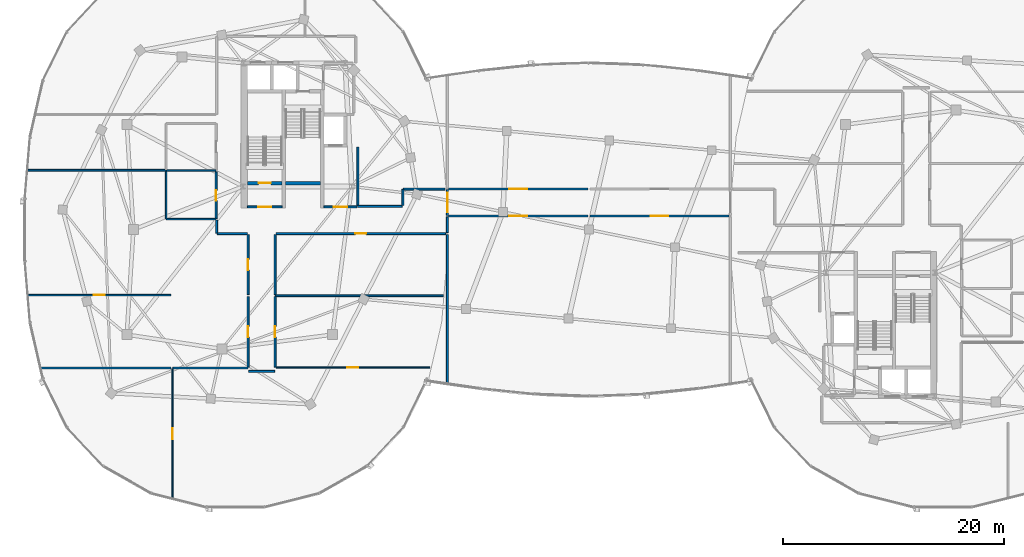
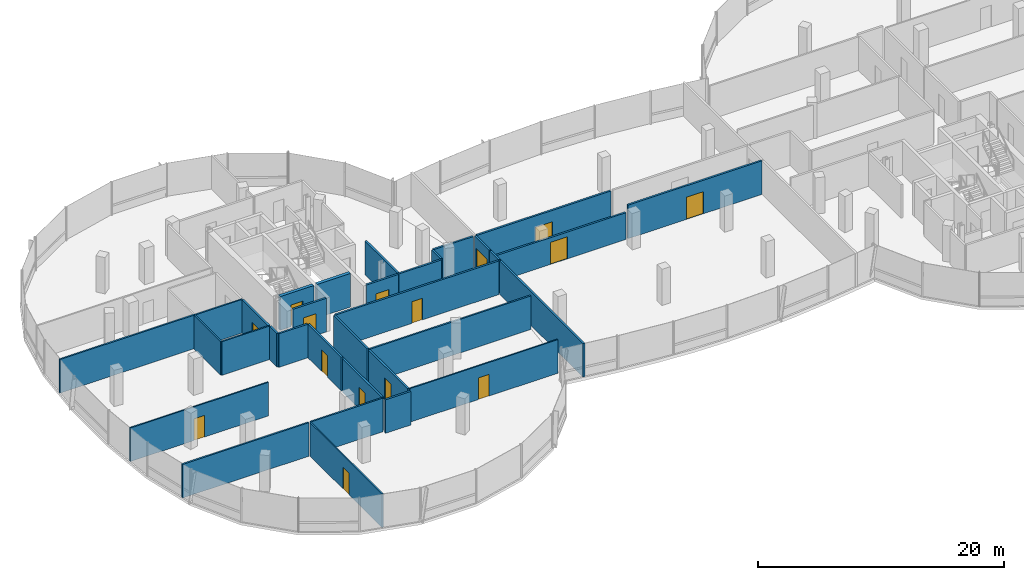
# One storey, part 14 of 25: 33 walls, 15 doors, 15 openings.
"""IFC4 building model written with IfcOpenShell, lengths in metres."""

from ifc_helpers import new_model, si_unit, direction, frame, frame_2d, origin, place, context, subcontext, project, spatial, rectangle, extrude, material, layer, layer_set, type_object, element, fill, save


model = new_model("IFC4")

# Units and contexts
model_context = context("Model", 3, precision=1e-05, world=origin(), true_north=direction((0.0, 1.0)))
body_context = subcontext(model_context, "Body", "Model", "MODEL_VIEW")
ifc_project = project(units=[si_unit("LENGTHUNIT", "METRE"), si_unit("AREAUNIT", "SQUARE_METRE"), si_unit("VOLUMEUNIT", "CUBIC_METRE"), si_unit("PLANEANGLEUNIT", "RADIAN"), si_unit("MASSUNIT", "GRAM", prefix="KILO"), si_unit("THERMODYNAMICTEMPERATUREUNIT", "KELVIN"), si_unit("POWERUNIT", "WATT")], contexts=[model_context])

# Site, building, storey
site_placement = place(None, origin())
site = spatial("IfcSite", under=ifc_project, at=site_placement, CompositionType="ELEMENT")
building_placement = place(site_placement, origin())
building = spatial("IfcBuilding", under=site, at=building_placement, Name="Cundina Bronze Exchange", CompositionType="ELEMENT")
storey_placement = place(building_placement, frame((0.0, 0.0, 246.800048828125)))
storey = spatial("IfcBuildingStorey", under=building, at=storey_placement, Name="L65", CompositionType="ELEMENT", Elevation=246.800048828125)

# Wall
ifc_material_1 = material(Name="Gypsum Fireboard Partition EI120")
ifc_layer_1 = layer(ifc_material_1, 0.179931640625, Name="Gypsum Fireboard Partition EI120")
ifc_layer_set_1 = layer_set([ifc_layer_1], Name="Gypsum Fireboard Partition EI120")
wall_type_1 = type_object("IfcWallType", Name="WL-COR-180", PredefinedType="PARTITIONING", material=ifc_layer_set_1)
wall_1_placement = place(storey_placement, frame((-20.889892578125, 2.14990234375, 0.0), z_axis=(0.0, 0.0, 1.0), x_axis=(0.0, 1.0, 0.0)))
element("IfcWall", 1, at=wall_1_placement, inside=storey, type_object=wall_type_1, Name="L65 W Firefighting Lobby Side Wall", PredefinedType="PARTITIONING", context=body_context, shape_type="SweptSolid", body=[
    extrude(rectangle(XDim=5.300048828125, YDim=0.179931640625, at=frame_2d((2.64990234375, 0.0))), origin(), (0.0, 0.0, 1.0), 3.33984375),
])

# Wall, opening, door
wall_2_placement = place(storey_placement, frame((-23.97998046875, 2.06005859375, 0.0), z_axis=(0.0, 0.0, 1.0), x_axis=(1.0, 0.0, 0.0)))
wall_2 = element("IfcWall", 2, at=wall_2_placement, inside=storey, type_object=wall_type_1, Name="L65 W Firefighting Lobby Exit Wall", PredefinedType="PARTITIONING", context=body_context, shape_type="SweptSolid", body=[
    extrude(rectangle(XDim=3.0, YDim=0.179931640625, at=frame_2d((1.5, 0.0))), origin(), (0.0, 0.0, 1.0), 3.33984375),
])
opening_1_placement = place(wall_2_placement, frame((0.89990234375, 0.0, 0.0)))
opening_1 = element("IfcOpeningElement", 3, at=opening_1_placement, cuts=wall_2, Name="Opening DF-01", PredefinedType="OPENING", context=body_context, shape_type="SweptSolid", body=[
    extrude(rectangle(XDim=1.199951171875, YDim=2.14990234375, at=frame_2d((0.60009765625, 1.074951171875))), frame((0.0, 0.099853515625, 0.0), z_axis=(0.0, -1.0, 0.0), x_axis=(1.0, 0.0, 0.0)), (0.0, 0.0, 1.0), 0.199951171875),
])
ifc_material_2 = material(Name="Steel ASTM A36 Painted", Category="steel")
door_type_1 = type_object("IfcDoorType", Name="DR-FFL-1200", OperationType="NOTDEFINED", PredefinedType="DOOR", material=ifc_material_2)
door_1_placement = place(opening_1_placement, origin())
door_1 = element("IfcDoor", 4, at=door_1_placement, inside=storey, type_object=door_type_1, Name="L65 W Firefighting Lobby Door", OperationType="SINGLE_SWING_RIGHT", OverallHeight=2.14990234375, OverallWidth=1.199951171875, PredefinedType="DOOR", context=body_context, shape_type="SweptSolid", body=[
    extrude(rectangle(XDim=1.199951171875, YDim=2.14990234375, at=frame_2d((0.60009765625, 1.074951171875))), frame((0.0, 0.02490234375, 0.0), z_axis=(0.0, -1.0, 0.0), x_axis=(1.0, 0.0, 0.0)), (0.0, 0.0, 1.0), 0.050048828125),
])
fill(opening_1, door_1)

wall_3_placement = place(storey_placement, frame((-30.89990234375, 2.06005859375, 0.0), z_axis=(0.0, 0.0, 1.0), x_axis=(1.0, 0.0, 0.0)))
wall_3 = element("IfcWall", 5, at=wall_3_placement, inside=storey, type_object=wall_type_1, Name="L65 W Stair Vestibule Exit Wall", PredefinedType="PARTITIONING", context=body_context, shape_type="SweptSolid", body=[
    extrude(rectangle(XDim=3.159912109375, YDim=0.179931640625, at=frame_2d((1.580078125, 0.0))), origin(), (0.0, 0.0, 1.0), 3.33984375),
])
opening_2_placement = place(wall_3_placement, frame((0.97998046875, 0.0, 0.0)))
opening_2 = element("IfcOpeningElement", 6, at=opening_2_placement, cuts=wall_3, Name="Opening DF-01", PredefinedType="OPENING", context=body_context, shape_type="SweptSolid", body=[
    extrude(rectangle(XDim=1.199951171875, YDim=2.14990234375, at=frame_2d((0.60009765625, 1.074951171875))), frame((0.0, 0.099853515625, 0.0), z_axis=(0.0, -1.0, 0.0), x_axis=(1.0, 0.0, 0.0)), (0.0, 0.0, 1.0), 0.199951171875),
])
door_2_placement = place(opening_2_placement, origin())
door_2 = element("IfcDoor", 7, at=door_2_placement, inside=storey, type_object=door_type_1, Name="L65 W Stair Vestibule Door", OperationType="SINGLE_SWING_LEFT", OverallHeight=2.14990234375, OverallWidth=1.199951171875, PredefinedType="DOOR", context=body_context, shape_type="SweptSolid", body=[
    extrude(rectangle(XDim=1.199951171875, YDim=2.14990234375, at=frame_2d((0.60009765625, 1.074951171875))), frame((0.0, 0.02490234375, 0.0), z_axis=(0.0, -1.0, 0.0), x_axis=(1.0, 0.0, 0.0)), (0.0, 0.0, 1.0), 0.050048828125),
])
fill(opening_2, door_2)

wall_4_placement = place(storey_placement, frame((-33.719970703125, 0.969970703125, 0.0), z_axis=(0.0, 0.0, 1.0), x_axis=(0.0, 1.0, 0.0)))
wall_4 = element("IfcWall", 8, at=wall_4_placement, inside=storey, type_object=wall_type_1, Name="L65 Interior Partition 010", PredefinedType="PARTITIONING", context=body_context, shape_type="SweptSolid", body=[
    extrude(rectangle(XDim=4.260009765625, YDim=0.179931640625, at=frame_2d((2.1298828125, 0.0))), origin(), (0.0, 0.0, 1.0), 3.33984375),
])
opening_3_placement = place(wall_4_placement, frame((1.655029296875, 0.0, 0.0)))
opening_3 = element("IfcOpeningElement", 9, at=opening_3_placement, cuts=wall_4, Name="Opening DW-01", PredefinedType="OPENING", context=body_context, shape_type="SweptSolid", body=[
    extrude(rectangle(XDim=0.949951171875, YDim=2.10009765625, at=frame_2d((0.47509765625, 1.050048828125))), frame((0.0, 0.099853515625, 0.0), z_axis=(0.0, -1.0, 0.0), x_axis=(1.0, 0.0, 0.0)), (0.0, 0.0, 1.0), 0.199951171875),
])
ifc_material_3 = material(Name="Solid Andean Oak Timber Grade A", Category="wood")
door_type_2 = type_object("IfcDoorType", Name="DR-WC-950", OperationType="NOTDEFINED", PredefinedType="DOOR", material=ifc_material_3)
door_3_placement = place(opening_3_placement, origin())
door_3 = element("IfcDoor", 10, at=door_3_placement, inside=storey, type_object=door_type_2, Name="L65 Interior Door 010", OperationType="SINGLE_SWING_RIGHT", OverallHeight=2.10009765625, OverallWidth=0.949951171875, PredefinedType="DOOR", context=body_context, shape_type="SweptSolid", body=[
    extrude(rectangle(XDim=0.949951171875, YDim=2.10009765625, at=frame_2d((0.47509765625, 1.050048828125))), frame((0.0, 0.02490234375, 0.0), z_axis=(0.0, -1.0, 0.0), x_axis=(1.0, 0.0, 0.0)), (0.0, 0.0, 1.0), 0.050048828125),
])
fill(opening_3, door_3)

# Wall
wall_5_placement = place(storey_placement, frame((-30.778564453125, -12.820068359375, 0.0), z_axis=(0.0, 0.0, 1.0), x_axis=(1.0, 0.0, 0.0)))
element("IfcWall", 11, at=wall_5_placement, inside=storey, type_object=wall_type_1, Name="L65 Interior Partition 017", PredefinedType="PARTITIONING", context=body_context, shape_type="SweptSolid", body=[
    extrude(rectangle(XDim=2.357177734375, YDim=0.179931640625, at=frame_2d((1.1787109375, 0.0))), origin(), (0.0, 0.0, 1.0), 3.33984375),
])

# Wall, opening, door
wall_6_placement = place(storey_placement, frame((-30.820068359375, -6.070068359375, 0.0), z_axis=(0.0, 0.0, 1.0), x_axis=(0.0, -1.0, 0.0)))
wall_6 = element("IfcWall", 12, at=wall_6_placement, inside=storey, type_object=wall_type_1, Name="L65 Interior Partition 018", PredefinedType="PARTITIONING", context=body_context, shape_type="SweptSolid", body=[
    extrude(rectangle(XDim=6.35986328125, YDim=0.179931640625, at=frame_2d((3.179931640625, 0.0))), origin(), (0.0, 0.0, 1.0), 3.33984375),
])
opening_4_placement = place(wall_6_placement, frame((2.679931640625, 0.0, 0.0)))
opening_4 = element("IfcOpeningElement", 13, at=opening_4_placement, cuts=wall_6, Name="Opening DO-01", PredefinedType="OPENING", context=body_context, shape_type="SweptSolid", body=[
    extrude(rectangle(XDim=1.0, YDim=2.14990234375, at=frame_2d((0.5, 1.074951171875))), frame((0.0, 0.099853515625, 0.0), z_axis=(0.0, -1.0, 0.0), x_axis=(1.0, 0.0, 0.0)), (0.0, 0.0, 1.0), 0.199951171875),
])
door_type_3 = type_object("IfcDoorType", Name="DR-OFF-1000", OperationType="NOTDEFINED", PredefinedType="DOOR", material=ifc_material_3)
door_4_placement = place(opening_4_placement, origin())
door_4 = element("IfcDoor", 14, at=door_4_placement, inside=storey, type_object=door_type_3, Name="L65 Interior Door 018", OperationType="SINGLE_SWING_LEFT", OverallHeight=2.14990234375, OverallWidth=1.0, PredefinedType="DOOR", context=body_context, shape_type="SweptSolid", body=[
    extrude(rectangle(XDim=1.0, YDim=2.14990234375, at=frame_2d((0.5, 1.074951171875))), frame((0.0, 0.02490234375, 0.0), z_axis=(0.0, -1.0, 0.0), x_axis=(1.0, 0.0, 0.0)), (0.0, 0.0, 1.0), 0.050048828125),
])
fill(opening_4, door_4)

wall_7_placement = place(storey_placement, frame((-28.3798828125, -12.429931640625, 0.0), z_axis=(0.0, 0.0, 1.0), x_axis=(0.0, 1.0, 0.0)))
wall_7 = element("IfcWall", 15, at=wall_7_placement, inside=storey, type_object=wall_type_1, Name="L65 Interior Partition 019", PredefinedType="PARTITIONING", context=body_context, shape_type="SweptSolid", body=[
    extrude(rectangle(XDim=6.35986328125, YDim=0.179931640625, at=frame_2d((3.179931640625, 0.0))), origin(), (0.0, 0.0, 1.0), 3.33984375),
])
opening_5_placement = place(wall_7_placement, frame((2.679931640625, 0.0, 0.0)))
opening_5 = element("IfcOpeningElement", 16, at=opening_5_placement, cuts=wall_7, Name="Opening DO-01", PredefinedType="OPENING", context=body_context, shape_type="SweptSolid", body=[
    extrude(rectangle(XDim=1.0, YDim=2.14990234375, at=frame_2d((0.5, 1.074951171875))), frame((0.0, 0.099853515625, 0.0), z_axis=(0.0, -1.0, 0.0), x_axis=(1.0, 0.0, 0.0)), (0.0, 0.0, 1.0), 0.199951171875),
])
door_5_placement = place(opening_5_placement, origin())
door_5 = element("IfcDoor", 17, at=door_5_placement, inside=storey, type_object=door_type_3, Name="L65 Interior Door 019", OperationType="SINGLE_SWING_RIGHT", OverallHeight=2.14990234375, OverallWidth=1.0, PredefinedType="DOOR", context=body_context, shape_type="SweptSolid", body=[
    extrude(rectangle(XDim=1.0, YDim=2.14990234375, at=frame_2d((0.5, 1.074951171875))), frame((0.0, 0.02490234375, 0.0), z_axis=(0.0, -1.0, 0.0), x_axis=(1.0, 0.0, 0.0)), (0.0, 0.0, 1.0), 0.050048828125),
])
fill(opening_5, door_5)

wall_8_placement = place(storey_placement, frame((-28.300048828125, -0.3701171875, 0.0), z_axis=(0.0, 0.0, 1.0), x_axis=(1.0, 0.0, 0.0)))
wall_8 = element("IfcWall", 18, at=wall_8_placement, inside=storey, type_object=wall_type_1, Name="L65 Interior Partition 020", PredefinedType="PARTITIONING", context=body_context, shape_type="SweptSolid", body=[
    extrude(rectangle(XDim=15.34912109375, YDim=0.179931640625, at=frame_2d((7.674560546875, 0.0))), origin(), (0.0, 0.0, 1.0), 3.33984375),
])
opening_6_placement = place(wall_8_placement, frame((7.174560546875, 0.0, 0.0)))
opening_6 = element("IfcOpeningElement", 19, at=opening_6_placement, cuts=wall_8, Name="Opening DO-01", PredefinedType="OPENING", context=body_context, shape_type="SweptSolid", body=[
    extrude(rectangle(XDim=1.0, YDim=2.14990234375, at=frame_2d((0.5, 1.074951171875))), frame((0.0, 0.099853515625, 0.0), z_axis=(0.0, -1.0, 0.0), x_axis=(1.0, 0.0, 0.0)), (0.0, 0.0, 1.0), 0.199951171875),
])
door_6_placement = place(opening_6_placement, origin())
door_6 = element("IfcDoor", 20, at=door_6_placement, inside=storey, type_object=door_type_3, Name="L65 Interior Door 020", OperationType="SINGLE_SWING_RIGHT", OverallHeight=2.14990234375, OverallWidth=1.0, PredefinedType="DOOR", context=body_context, shape_type="SweptSolid", body=[
    extrude(rectangle(XDim=1.0, YDim=2.14990234375, at=frame_2d((0.5, 1.074951171875))), frame((0.0, 0.02490234375, 0.0), z_axis=(0.0, -1.0, 0.0), x_axis=(1.0, 0.0, 0.0)), (0.0, 0.0, 1.0), 0.050048828125),
])
fill(opening_6, door_6)

# Wall
wall_9_placement = place(storey_placement, frame((-28.3798828125, -5.889892578125, 0.0), z_axis=(0.0, 0.0, 1.0), x_axis=(0.0, 1.0, 0.0)))
element("IfcWall", 21, at=wall_9_placement, inside=storey, type_object=wall_type_1, Name="L65 Interior Partition 021", PredefinedType="PARTITIONING", context=body_context, shape_type="SweptSolid", body=[
    extrude(rectangle(XDim=5.43994140625, YDim=0.179931640625, at=frame_2d((2.719970703125, 0.0))), origin(), (0.0, 0.0, 1.0), 3.33984375),
])

# Wall, opening, door
wall_10_placement = place(storey_placement, frame((-30.820068359375, -0.449951171875, 0.0), z_axis=(0.0, 0.0, 1.0), x_axis=(0.0, -1.0, 0.0)))
wall_10 = element("IfcWall", 22, at=wall_10_placement, inside=storey, type_object=wall_type_1, Name="L65 Interior Partition 022", PredefinedType="PARTITIONING", context=body_context, shape_type="SweptSolid", body=[
    extrude(rectangle(XDim=5.43994140625, YDim=0.179931640625, at=frame_2d((2.719970703125, 0.0))), origin(), (0.0, 0.0, 1.0), 3.33984375),
])
opening_7_placement = place(wall_10_placement, frame((2.219970703125, 0.0, 0.0)))
opening_7 = element("IfcOpeningElement", 23, at=opening_7_placement, cuts=wall_10, Name="Opening DO-01", PredefinedType="OPENING", context=body_context, shape_type="SweptSolid", body=[
    extrude(rectangle(XDim=1.0, YDim=2.14990234375, at=frame_2d((0.5, 1.074951171875))), frame((0.0, 0.099853515625, 0.0), z_axis=(0.0, -1.0, 0.0), x_axis=(1.0, 0.0, 0.0)), (0.0, 0.0, 1.0), 0.199951171875),
])
door_7_placement = place(opening_7_placement, origin())
door_7 = element("IfcDoor", 24, at=door_7_placement, inside=storey, type_object=door_type_3, Name="L65 Interior Door 022", OperationType="SINGLE_SWING_LEFT", OverallHeight=2.14990234375, OverallWidth=1.0, PredefinedType="DOOR", context=body_context, shape_type="SweptSolid", body=[
    extrude(rectangle(XDim=1.0, YDim=2.14990234375, at=frame_2d((0.5, 1.074951171875))), frame((0.0, 0.02490234375, 0.0), z_axis=(0.0, -1.0, 0.0), x_axis=(1.0, 0.0, 0.0)), (0.0, 0.0, 1.0), 0.050048828125),
])
fill(opening_7, door_7)

# Walls
wall_11_placement = place(storey_placement, frame((-33.62841796875, -0.3701171875, 0.0), z_axis=(0.0, 0.0, 1.0), x_axis=(1.0, 0.0, 0.0)))
element("IfcWall", 25, at=wall_11_placement, inside=storey, type_object=wall_type_1, Name="L65 Interior Partition 023", PredefinedType="PARTITIONING", context=body_context, shape_type="SweptSolid", body=[
    extrude(rectangle(XDim=2.728515625, YDim=0.179931640625, at=frame_2d((1.3642578125, 0.0))), origin(), (0.0, 0.0, 1.0), 3.33984375),
])
wall_12_placement = place(storey_placement, frame((-33.669921875, 0.858642578125, 0.0), z_axis=(0.0, 0.0, 1.0), x_axis=(0.0, -1.0, 0.0)))
element("IfcWall", 26, at=wall_12_placement, inside=storey, type_object=wall_type_1, Name="L65 Interior Partition 024", PredefinedType="PARTITIONING", context=body_context, shape_type="SweptSolid", body=[
    extrude(rectangle(XDim=1.187255859375, YDim=0.179931640625, at=frame_2d((0.59375, 0.0))), origin(), (0.0, 0.0, 1.0), 3.33984375),
])
wall_13_placement = place(storey_placement, frame((-16.89990234375, 2.10009765625, 0.0), z_axis=(0.0, 0.0, 1.0), x_axis=(-1.0, 0.0, 0.0)))
element("IfcWall", 27, at=wall_13_placement, inside=storey, type_object=wall_type_1, Name="L65 Interior Partition 026", PredefinedType="PARTITIONING", context=body_context, shape_type="SweptSolid", body=[
    extrude(rectangle(XDim=4.02001953125, YDim=0.179931640625, at=frame_2d((2.010009765625, 0.0))), origin(), (0.0, 0.0, 1.0), 3.33984375),
])
wall_14_placement = place(storey_placement, frame((-13.025634765625, 3.669921875, 0.0), z_axis=(0.0, 0.0, 1.0), x_axis=(-1.0, 0.0, 0.0)))
element("IfcWall", 28, at=wall_14_placement, inside=storey, type_object=wall_type_1, Name="L65 Interior Partition 027", PredefinedType="PARTITIONING", context=body_context, shape_type="SweptSolid", body=[
    extrude(rectangle(XDim=3.7529296875, YDim=0.179931640625, at=frame_2d((1.87646484375, 0.0))), origin(), (0.0, 0.0, 1.0), 3.33984375),
])
wall_15_placement = place(storey_placement, frame((-16.820068359375, 3.62841796875, 0.0), z_axis=(0.0, 0.0, 1.0), x_axis=(0.0, -1.0, 0.0)))
element("IfcWall", 29, at=wall_15_placement, inside=storey, type_object=wall_type_1, Name="L65 Interior Partition 029", PredefinedType="PARTITIONING", context=body_context, shape_type="SweptSolid", body=[
    extrude(rectangle(XDim=1.448486328125, YDim=0.179931640625, at=frame_2d((0.72412109375, 0.0))), origin(), (0.0, 0.0, 1.0), 3.33984375),
])

# Wall, opening, door
wall_16_placement = place(storey_placement, frame((-12.6884765625, 1.22998046875, 0.0), z_axis=(0.0, 0.0, 1.0), x_axis=(1.0, 0.0, 0.0)))
wall_16 = element("IfcWall", 30, at=wall_16_placement, inside=storey, type_object=wall_type_1, Name="L65 Interior Partition 068", PredefinedType="PARTITIONING", context=body_context, shape_type="SweptSolid", body=[
    extrude(rectangle(XDim=12.593505859375, YDim=0.179931640625, at=frame_2d((6.296875, 0.0))), origin(), (0.0, 0.0, 1.0), 2.662841796875),
])
opening_8_placement = place(wall_16_placement, frame((5.49658203125, 0.0, 0.0)))
opening_8 = element("IfcOpeningElement", 31, at=opening_8_placement, cuts=wall_16, Name="Opening DO-02", PredefinedType="OPENING", context=body_context, shape_type="SweptSolid", body=[
    extrude(rectangle(XDim=1.60009765625, YDim=2.199951171875, at=frame_2d((0.800048828125, 1.10009765625))), frame((0.0, 0.099853515625, 0.0), z_axis=(0.0, -1.0, 0.0), x_axis=(1.0, 0.0, 0.0)), (0.0, 0.0, 1.0), 0.199951171875),
])
door_type_4 = type_object("IfcDoorType", Name="DR-TRD-1600", OperationType="NOTDEFINED", PredefinedType="DOOR", material=ifc_material_3)
door_8_placement = place(opening_8_placement, origin())
door_8 = element("IfcDoor", 32, at=door_8_placement, inside=storey, type_object=door_type_4, Name="L65 Interior Door 068", OperationType="SINGLE_SWING_LEFT", OverallHeight=2.199951171875, OverallWidth=1.60009765625, PredefinedType="DOOR", context=body_context, shape_type="SweptSolid", body=[
    extrude(rectangle(XDim=1.60009765625, YDim=2.199951171875, at=frame_2d((0.800048828125, 1.10009765625))), frame((0.0, 0.02490234375, 0.0), z_axis=(0.0, -1.0, 0.0), x_axis=(1.0, 0.0, 0.0)), (0.0, 0.0, 1.0), 0.050048828125),
])
fill(opening_8, door_8)

wall_17_placement = place(storey_placement, frame((0.094970703125, 1.22998046875, 0.0), z_axis=(0.0, 0.0, 1.0), x_axis=(1.0, 0.0, 0.0)))
wall_17 = element("IfcWall", 33, at=wall_17_placement, inside=storey, type_object=wall_type_1, Name="L65 Interior Partition 069", PredefinedType="PARTITIONING", context=body_context, shape_type="SweptSolid", body=[
    extrude(rectangle(XDim=12.593505859375, YDim=0.179931640625, at=frame_2d((6.296875, 0.0))), origin(), (0.0, 0.0, 1.0), 3.33984375),
])
opening_9_placement = place(wall_17_placement, frame((5.49658203125, 0.0, 0.0)))
opening_9 = element("IfcOpeningElement", 34, at=opening_9_placement, cuts=wall_17, Name="Opening DO-02", PredefinedType="OPENING", context=body_context, shape_type="SweptSolid", body=[
    extrude(rectangle(XDim=1.60009765625, YDim=2.199951171875, at=frame_2d((0.800048828125, 1.10009765625))), frame((0.0, 0.099853515625, 0.0), z_axis=(0.0, -1.0, 0.0), x_axis=(1.0, 0.0, 0.0)), (0.0, 0.0, 1.0), 0.199951171875),
])
door_9_placement = place(opening_9_placement, origin())
door_9 = element("IfcDoor", 35, at=door_9_placement, inside=storey, type_object=door_type_4, Name="L65 Interior Door 069", OperationType="SINGLE_SWING_RIGHT", OverallHeight=2.199951171875, OverallWidth=1.60009765625, PredefinedType="DOOR", context=body_context, shape_type="SweptSolid", body=[
    extrude(rectangle(XDim=1.60009765625, YDim=2.199951171875, at=frame_2d((0.800048828125, 1.10009765625))), frame((0.0, 0.02490234375, 0.0), z_axis=(0.0, -1.0, 0.0), x_axis=(1.0, 0.0, 0.0)), (0.0, 0.0, 1.0), 0.050048828125),
])
fill(opening_9, door_9)

wall_18_placement = place(storey_placement, frame((-0.094970703125, 3.669921875, 0.0), z_axis=(0.0, 0.0, 1.0), x_axis=(-1.0, 0.0, 0.0)))
wall_18 = element("IfcWall", 36, at=wall_18_placement, inside=storey, type_object=wall_type_1, Name="L65 Interior Partition 070", PredefinedType="PARTITIONING", context=body_context, shape_type="SweptSolid", body=[
    extrude(rectangle(XDim=12.593505859375, YDim=0.179931640625, at=frame_2d((6.296875, 0.0))), origin(), (0.0, 0.0, 1.0), 3.33984375),
])
opening_10_placement = place(wall_18_placement, frame((5.49658203125, 0.0, 0.0)))
opening_10 = element("IfcOpeningElement", 37, at=opening_10_placement, cuts=wall_18, Name="Opening DO-02", PredefinedType="OPENING", context=body_context, shape_type="SweptSolid", body=[
    extrude(rectangle(XDim=1.60009765625, YDim=2.199951171875, at=frame_2d((0.800048828125, 1.10009765625))), frame((0.0, 0.099853515625, 0.0), z_axis=(0.0, -1.0, 0.0), x_axis=(1.0, 0.0, 0.0)), (0.0, 0.0, 1.0), 0.199951171875),
])
door_10_placement = place(opening_10_placement, origin())
door_10 = element("IfcDoor", 38, at=door_10_placement, inside=storey, type_object=door_type_4, Name="L65 Interior Door 070", OperationType="SINGLE_SWING_LEFT", OverallHeight=2.199951171875, OverallWidth=1.60009765625, PredefinedType="DOOR", context=body_context, shape_type="SweptSolid", body=[
    extrude(rectangle(XDim=1.60009765625, YDim=2.199951171875, at=frame_2d((0.800048828125, 1.10009765625))), frame((0.0, 0.02490234375, 0.0), z_axis=(0.0, -1.0, 0.0), x_axis=(1.0, 0.0, 0.0)), (0.0, 0.0, 1.0), 0.050048828125),
])
fill(opening_10, door_10)

# Walls
wall_19_placement = place(storey_placement, frame((-12.800048828125, -14.043701171875, 0.0), z_axis=(0.0, 0.0, 1.0), x_axis=(0.0, 1.0, 0.0)))
element("IfcWall", 39, at=wall_19_placement, inside=storey, type_object=wall_type_1, Name="L65 Interior Partition 072", PredefinedType="PARTITIONING", context=body_context, shape_type="SweptSolid", body=[
    extrude(rectangle(XDim=13.588623046875, YDim=0.179931640625, at=frame_2d((6.79443359375, 0.0))), origin(), (0.0, 0.0, 1.0), 3.33984375),
])
wall_20_placement = place(storey_placement, frame((-12.800048828125, -0.284912109375, 0.0), z_axis=(0.0, 0.0, 1.0), x_axis=(0.0, 1.0, 0.0)))
element("IfcWall", 40, at=wall_20_placement, inside=storey, type_object=wall_type_1, Name="L65 Interior Partition 073", PredefinedType="PARTITIONING", context=body_context, shape_type="SweptSolid", body=[
    extrude(rectangle(XDim=1.44482421875, YDim=0.179931640625, at=frame_2d((0.722412109375, 0.0))), origin(), (0.0, 0.0, 1.0), 3.33984375),
])

# Wall, opening, door
wall_21_placement = place(storey_placement, frame((-12.800048828125, 1.280029296875, 0.0), z_axis=(0.0, 0.0, 1.0), x_axis=(0.0, 1.0, 0.0)))
wall_21 = element("IfcWall", 41, at=wall_21_placement, inside=storey, type_object=wall_type_1, Name="L65 Interior Partition 075", PredefinedType="PARTITIONING", context=body_context, shape_type="SweptSolid", body=[
    extrude(rectangle(XDim=2.340087890625, YDim=0.179931640625, at=frame_2d((1.169921875, 0.0))), origin(), (0.0, 0.0, 1.0), 3.33984375),
])
opening_11_placement = place(wall_21_placement, frame((0.27001953125, 0.0, 0.0)))
opening_11 = element("IfcOpeningElement", 42, at=opening_11_placement, cuts=wall_21, Name="Opening DB-01", PredefinedType="OPENING", context=body_context, shape_type="SweptSolid", body=[
    extrude(rectangle(XDim=1.800048828125, YDim=2.25, at=frame_2d((0.89990234375, 1.125))), frame((0.0, 0.099853515625, 0.0), z_axis=(0.0, -1.0, 0.0), x_axis=(1.0, 0.0, 0.0)), (0.0, 0.0, 1.0), 0.199951171875),
])
door_type_5 = type_object("IfcDoorType", Name="DR-BRG-1800", OperationType="NOTDEFINED", PredefinedType="DOOR", material=ifc_material_2)
door_11_placement = place(opening_11_placement, origin())
door_11 = element("IfcDoor", 43, at=door_11_placement, inside=storey, type_object=door_type_5, Name="L65 Interior Door 075", OperationType="DOUBLE_DOOR_SINGLE_SWING", OverallHeight=2.25, OverallWidth=1.800048828125, PredefinedType="DOOR", context=body_context, shape_type="SweptSolid", body=[
    extrude(rectangle(XDim=1.800048828125, YDim=2.25, at=frame_2d((0.89990234375, 1.125))), frame((0.0, 0.02490234375, 0.0), z_axis=(0.0, -1.0, 0.0), x_axis=(1.0, 0.0, 0.0)), (0.0, 0.0, 1.0), 0.050048828125),
])
fill(opening_11, door_11)

ifc_material_4 = material(Name="Gypsum Acoustic Partition EI60")
ifc_layer_2 = layer(ifc_material_4, 0.125, Name="Gypsum Acoustic Partition EI60")
ifc_layer_set_2 = layer_set([ifc_layer_2], Name="Gypsum Acoustic Partition EI60")
wall_type_2 = type_object("IfcWallType", Name="WL-OFF-125", PredefinedType="PARTITIONING", material=ifc_layer_set_2)
wall_22_placement = place(storey_placement, frame((-28.300048828125, -12.469970703125, 0.0), z_axis=(0.0, 0.0, 1.0), x_axis=(1.0, 0.0, 0.0)))
wall_22 = element("IfcWall", 44, at=wall_22_placement, inside=storey, type_object=wall_type_2, Name="L65 Interior Partition 032", PredefinedType="PARTITIONING", context=body_context, shape_type="SweptSolid", body=[
    extrude(rectangle(XDim=13.918701171875, YDim=0.125, at=frame_2d((6.95947265625, 0.0))), origin(), (0.0, 0.0, 1.0), 3.33984375),
])
opening_12_placement = place(wall_22_placement, frame((6.459228515625, 0.0, 0.0)))
opening_12 = element("IfcOpeningElement", 45, at=opening_12_placement, cuts=wall_22, Name="Opening DO-01", PredefinedType="OPENING", context=body_context, shape_type="SweptSolid", body=[
    extrude(rectangle(XDim=1.0, YDim=2.14990234375, at=frame_2d((0.5, 1.074951171875))), frame((0.0, 0.072509765625, 0.0), z_axis=(0.0, -1.0, 0.0), x_axis=(1.0, 0.0, 0.0)), (0.0, 0.0, 1.0), 0.14501953125),
])
door_12_placement = place(opening_12_placement, origin())
door_12 = element("IfcDoor", 46, at=door_12_placement, inside=storey, type_object=door_type_3, Name="L65 Interior Door 032", OperationType="SINGLE_SWING_LEFT", OverallHeight=2.14990234375, OverallWidth=1.0, PredefinedType="DOOR", context=body_context, shape_type="SweptSolid", body=[
    extrude(rectangle(XDim=1.0, YDim=2.14990234375, at=frame_2d((0.5, 1.074951171875))), frame((0.0, 0.02490234375, 0.0), z_axis=(0.0, -1.0, 0.0), x_axis=(1.0, 0.0, 0.0)), (0.0, 0.0, 1.0), 0.050048828125),
])
fill(opening_12, door_12)

wall_23_placement = place(storey_placement, frame((-37.669921875, -12.610107421875, 0.0), z_axis=(0.0, 0.0, 1.0), x_axis=(0.0, -1.0, 0.0)))
wall_23 = element("IfcWall", 47, at=wall_23_placement, inside=storey, type_object=wall_type_2, Name="L65 Interior Partition 033", PredefinedType="PARTITIONING", context=body_context, shape_type="SweptSolid", body=[
    extrude(rectangle(XDim=11.7314453125, YDim=0.125, at=frame_2d((5.86572265625, 0.0))), origin(), (0.0, 0.0, 1.0), 3.33984375),
])
opening_13_placement = place(wall_23_placement, frame((5.36572265625, 0.0, 0.0)))
opening_13 = element("IfcOpeningElement", 48, at=opening_13_placement, cuts=wall_23, Name="Opening DO-01", PredefinedType="OPENING", context=body_context, shape_type="SweptSolid", body=[
    extrude(rectangle(XDim=1.0, YDim=2.14990234375, at=frame_2d((0.5, 1.074951171875))), frame((0.0, 0.072509765625, 0.0), z_axis=(0.0, -1.0, 0.0), x_axis=(1.0, 0.0, 0.0)), (0.0, 0.0, 1.0), 0.14501953125),
])
door_13_placement = place(opening_13_placement, origin())
door_13 = element("IfcDoor", 49, at=door_13_placement, inside=storey, type_object=door_type_3, Name="L65 Interior Door 033", OperationType="SINGLE_SWING_RIGHT", OverallHeight=2.14990234375, OverallWidth=1.0, PredefinedType="DOOR", context=body_context, shape_type="SweptSolid", body=[
    extrude(rectangle(XDim=1.0, YDim=2.14990234375, at=frame_2d((0.5, 1.074951171875))), frame((0.0, 0.02490234375, 0.0), z_axis=(0.0, -1.0, 0.0), x_axis=(1.0, 0.0, 0.0)), (0.0, 0.0, 1.0), 0.050048828125),
])
fill(opening_13, door_13)

wall_24_placement = place(storey_placement, frame((-50.779296875, -5.929931640625, 0.0), z_axis=(0.0, 0.0, 1.0), x_axis=(1.0, 0.0, 0.0)))
wall_24 = element("IfcWall", 50, at=wall_24_placement, inside=storey, type_object=wall_type_2, Name="L65 Interior Partition 034", PredefinedType="PARTITIONING", context=body_context, shape_type="SweptSolid", body=[
    extrude(rectangle(XDim=12.96923828125, YDim=0.125, at=frame_2d((6.484619140625, 0.0))), origin(), (0.0, 0.0, 1.0), 3.33984375),
])
opening_14_placement = place(wall_24_placement, frame((5.984619140625, 0.0, 0.0)))
opening_14 = element("IfcOpeningElement", 51, at=opening_14_placement, cuts=wall_24, Name="Opening DO-01", PredefinedType="OPENING", context=body_context, shape_type="SweptSolid", body=[
    extrude(rectangle(XDim=1.0, YDim=2.14990234375, at=frame_2d((0.5, 1.074951171875))), frame((0.0, 0.072509765625, 0.0), z_axis=(0.0, -1.0, 0.0), x_axis=(1.0, 0.0, 0.0)), (0.0, 0.0, 1.0), 0.14501953125),
])
door_14_placement = place(opening_14_placement, origin())
door_14 = element("IfcDoor", 52, at=door_14_placement, inside=storey, type_object=door_type_3, Name="L65 Interior Door 034", OperationType="SINGLE_SWING_RIGHT", OverallHeight=2.14990234375, OverallWidth=1.0, PredefinedType="DOOR", context=body_context, shape_type="SweptSolid", body=[
    extrude(rectangle(XDim=1.0, YDim=2.14990234375, at=frame_2d((0.5, 1.074951171875))), frame((0.0, 0.02490234375, 0.0), z_axis=(0.0, -1.0, 0.0), x_axis=(1.0, 0.0, 0.0)), (0.0, 0.0, 1.0), 0.050048828125),
])
fill(opening_14, door_14)

ifc_material_5 = material(Name="Concrete C50/60", Category="concrete")
ifc_layer_3 = layer(ifc_material_5, 0.300048828125, Name="Concrete C50/60", Category="concrete")
ifc_layer_set_3 = layer_set([ifc_layer_3], Name="Concrete C50/60")
wall_type_3 = type_object("IfcWallType", Name="WL-SHFT-300", PredefinedType="SHEAR", material=ifc_layer_set_3)
wall_25_placement = place(storey_placement, frame((-30.89990234375, 4.199951171875, 0.0), z_axis=(0.0, 0.0, 1.0), x_axis=(1.0, 0.0, 0.0)))
wall_25 = element("IfcWall", 53, at=wall_25_placement, inside=storey, type_object=wall_type_3, Name="L65 Stair W1 Landing Wall", PredefinedType="SHEAR", context=body_context, shape_type="SweptSolid", body=[
    extrude(rectangle(XDim=3.159912109375, YDim=0.300048828125, at=frame_2d((1.580078125, 0.0))), origin(), (0.0, 0.0, 1.0), 3.33984375),
])
opening_15_placement = place(wall_25_placement, frame((1.030029296875, 0.0, 0.0)))
opening_15 = element("IfcOpeningElement", 54, at=opening_15_placement, cuts=wall_25, Name="Opening DS-01", PredefinedType="OPENING", context=body_context, shape_type="SweptSolid", body=[
    extrude(rectangle(XDim=1.10009765625, YDim=2.14990234375, at=frame_2d((0.550048828125, 1.074951171875))), frame((0.0, 0.159912109375, 0.0), z_axis=(0.0, -1.0, 0.0), x_axis=(1.0, 0.0, 0.0)), (0.0, 0.0, 1.0), 0.320068359375),
])
door_type_6 = type_object("IfcDoorType", Name="DR-STR-1100", OperationType="NOTDEFINED", PredefinedType="DOOR", material=ifc_material_2)
door_15_placement = place(opening_15_placement, origin())
door_15 = element("IfcDoor", 55, at=door_15_placement, inside=storey, type_object=door_type_6, Name="L65 Smokeproof Stair W1 Door", OperationType="SINGLE_SWING_RIGHT", OverallHeight=2.14990234375, OverallWidth=1.10009765625, PredefinedType="DOOR", context=body_context, shape_type="SweptSolid", body=[
    extrude(rectangle(XDim=1.10009765625, YDim=2.14990234375, at=frame_2d((0.550048828125, 1.074951171875))), frame((0.0, 0.02490234375, 0.0), z_axis=(0.0, -1.0, 0.0), x_axis=(1.0, 0.0, 0.0)), (0.0, 0.0, 1.0), 0.050048828125),
])
fill(opening_15, door_15)

# Walls
wall_26_placement = place(storey_placement, frame((-27.43994140625, 4.199951171875, 0.0), z_axis=(0.0, 0.0, 1.0), x_axis=(1.0, 0.0, 0.0)))
element("IfcWall", 56, at=wall_26_placement, inside=storey, type_object=wall_type_3, Name="L65 Stair W2 Far Shaft Wall", PredefinedType="SHEAR", context=body_context, shape_type="SweptSolid", body=[
    extrude(rectangle(XDim=3.159912109375, YDim=0.300048828125, at=frame_2d((1.580078125, 0.0))), origin(), (0.0, 0.0, 1.0), 3.33984375),
])
ifc_layer_4 = layer(ifc_material_4, 0.14990234375, Name="Gypsum Acoustic Partition EI60")
ifc_layer_set_4 = layer_set([ifc_layer_4], Name="Gypsum Acoustic Partition EI60")
wall_type_4 = type_object("IfcWallType", Name="WL-TEN-150", PredefinedType="PARTITIONING", material=ifc_layer_set_4)
wall_27_placement = place(storey_placement, frame((-28.35009765625, -5.97998046875, 0.0), z_axis=(0.0, 0.0, 1.0), x_axis=(1.0, 0.0, 0.0)))
element("IfcWall", 57, at=wall_27_placement, inside=storey, type_object=wall_type_4, Name="L65 Interior Partition 012", PredefinedType="PARTITIONING", context=body_context, shape_type="SweptSolid", body=[
    extrude(rectangle(XDim=15.185302734375, YDim=0.14990234375, at=frame_2d((7.5927734375, 0.0))), origin(), (0.0, 0.0, 1.0), 3.33984375),
])
wall_28_placement = place(storey_placement, frame((-49.685791015625, -12.52001953125, 0.0), z_axis=(0.0, 0.0, 1.0), x_axis=(1.0, 0.0, 0.0)))
element("IfcWall", 58, at=wall_28_placement, inside=storey, type_object=wall_type_4, Name="L65 Interior Partition 013", PredefinedType="PARTITIONING", context=body_context, shape_type="SweptSolid", body=[
    extrude(rectangle(XDim=11.880859375, YDim=0.14990234375, at=frame_2d((5.9404296875, 0.0))), origin(), (0.0, 0.0, 1.0), 3.33984375),
])
wall_29_placement = place(storey_placement, frame((-37.635009765625, -12.52001953125, 0.0), z_axis=(0.0, 0.0, 1.0), x_axis=(1.0, 0.0, 0.0)))
element("IfcWall", 59, at=wall_29_placement, inside=storey, type_object=wall_type_4, Name="L65 Interior Partition 014", PredefinedType="PARTITIONING", context=body_context, shape_type="SweptSolid", body=[
    extrude(rectangle(XDim=6.784912109375, YDim=0.14990234375, at=frame_2d((3.392578125, 0.0))), origin(), (0.0, 0.0, 1.0), 3.33984375),
])
wall_30_placement = place(storey_placement, frame((-50.887451171875, 5.360107421875, 0.0), z_axis=(0.0, 0.0, 1.0), x_axis=(1.0, 0.0, 0.0)))
element("IfcWall", 60, at=wall_30_placement, inside=storey, type_object=wall_type_4, Name="L65 Interior Partition 015", PredefinedType="PARTITIONING", context=body_context, shape_type="SweptSolid", body=[
    extrude(rectangle(XDim=12.647705078125, YDim=0.14990234375, at=frame_2d((6.32373046875, 0.0))), origin(), (0.0, 0.0, 1.0), 3.33984375),
])
ifc_material_6 = material(Name="Moisture-Resistant Masonry Block Grade M15", Category="masonry")
ifc_layer_5 = layer(ifc_material_6, 0.139892578125, Name="Moisture-Resistant Masonry Block Grade M15", Category="masonry")
ifc_layer_set_5 = layer_set([ifc_layer_5], Name="Moisture-Resistant Masonry Block Grade M15")
wall_type_5 = type_object("IfcWallType", Name="WL-WET-140", PredefinedType="PARTITIONING", material=ifc_layer_set_5)
wall_31_placement = place(storey_placement, frame((-38.239990234375, 0.969970703125, 0.0), z_axis=(0.0, 0.0, 1.0), x_axis=(0.0, 1.0, 0.0)))
element("IfcWall", 61, at=wall_31_placement, inside=storey, type_object=wall_type_5, Name="L65 Interior Partition 005", PredefinedType="PARTITIONING", context=body_context, shape_type="SweptSolid", body=[
    extrude(rectangle(XDim=4.275146484375, YDim=0.139892578125, at=frame_2d((2.1376953125, 0.0))), origin(), (0.0, 0.0, 1.0), 3.33984375),
])
for number, where, z_axis, x_axis, name in (
    (62, (-38.219970703125, 0.949951171875, 0.0), (0.0, 0.0, 1.0), (1.0, 0.0, 0.0), "L65 Interior Partition 007"),
    (63, (-38.219970703125, 5.330078125, 0.0), (0.0, 0.0, 1.0), (1.0, 0.0, 0.0), "L65 Interior Partition 008"),
):
    element("IfcWall", number, at=place(storey_placement, frame(where, z_axis=z_axis, x_axis=x_axis)), inside=storey, type_object=wall_type_5, Name=name, PredefinedType="PARTITIONING", context=body_context, shape_type="SweptSolid", body=[
        extrude(rectangle(XDim=4.47998046875, YDim=0.139892578125, at=frame_2d((2.239990234375, 0.0))), origin(), (0.0, 0.0, 1.0), 3.33984375),
    ])

save(model, "model.ifc")
